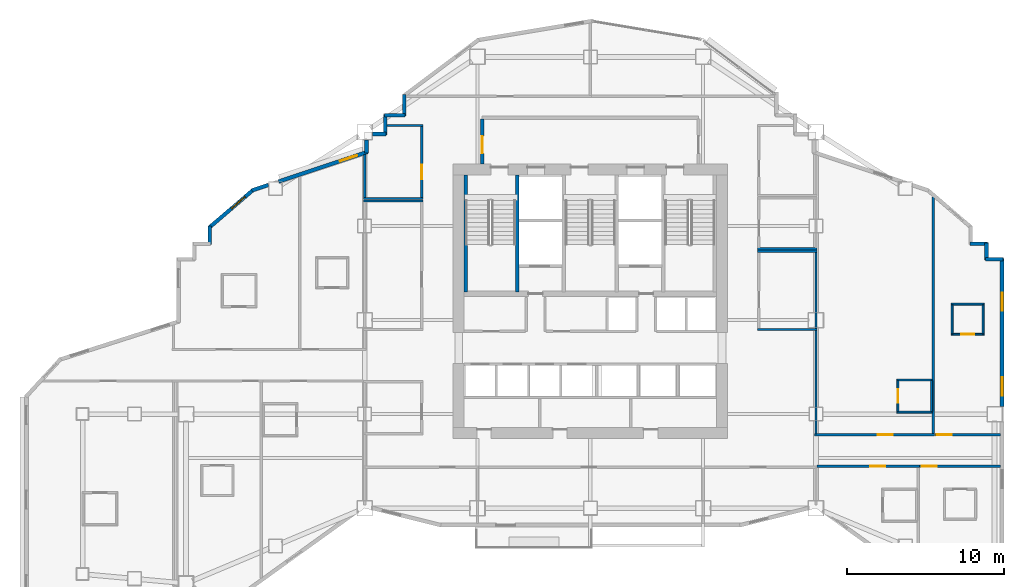
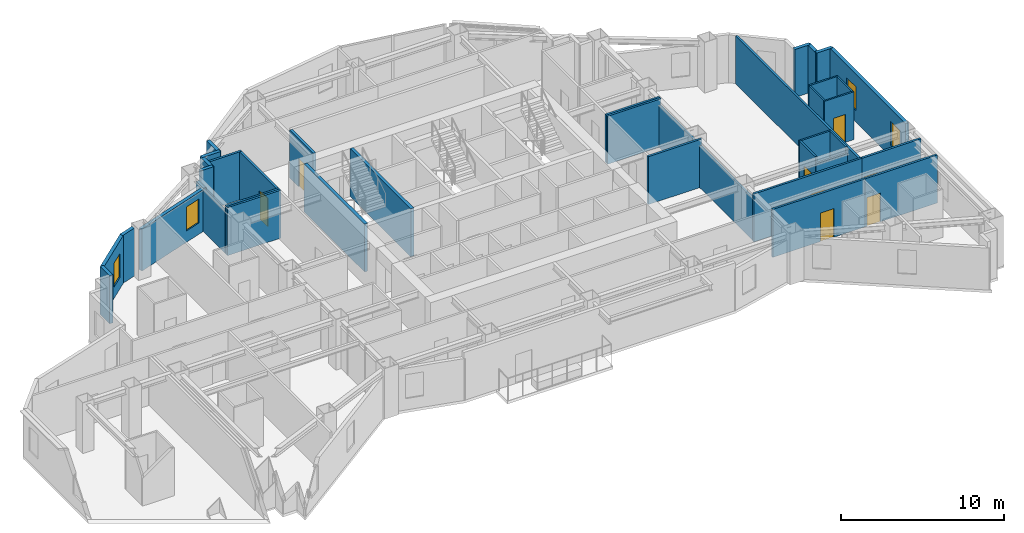
# One storey, part 8 of 14: 39 walls, 8 doors, 4 windows, 12 openings.
"""IFC4 building model written with IfcOpenShell, lengths in metres."""

from ifc_helpers import new_model, si_unit, direction, frame, frame_2d, origin, place, context, subcontext, project, spatial, rectangle, extrude, material, layer, layer_set, type_object, element, fill, save


model = new_model("IFC4")

# Units and contexts
model_context = context("Model", 3, precision=1e-05, world=origin(), true_north=direction((0.0, 1.0)))
body_context = subcontext(model_context, "Body", "Model", "MODEL_VIEW")
ifc_project = project(units=[si_unit("LENGTHUNIT", "METRE"), si_unit("AREAUNIT", "SQUARE_METRE"), si_unit("VOLUMEUNIT", "CUBIC_METRE"), si_unit("PLANEANGLEUNIT", "RADIAN"), si_unit("MASSUNIT", "GRAM", prefix="KILO")], contexts=[model_context])

# Site, building, storey
site_placement = place(None, origin())
site = spatial("IfcSite", under=ifc_project, at=site_placement, CompositionType="ELEMENT")
building_placement = place(site_placement, origin())
building = spatial("IfcBuilding", under=site, at=building_placement, Name="Haolan Belvedere Tower", CompositionType="ELEMENT")
storey_placement = place(building_placement, frame((0.0, 0.0, 113.60009765625)))
storey = spatial("IfcBuildingStorey", under=building, at=storey_placement, Name="L28", CompositionType="ELEMENT", Elevation=113.60009765625)

# Wall, openings, windows
ifc_material_1 = material(Name="Precast concrete C40/50", Category="concrete")
ifc_layer_1 = layer(ifc_material_1, 0.239990234375, Name="Precast concrete C40/50")
ifc_layer_set_1 = layer_set([ifc_layer_1], Name="Precast concrete C40/50")
wall_type_1 = type_object("IfcWallType", Name="WL-EXT-240", PredefinedType="SOLIDWALL", material=ifc_layer_set_1)
wall_1_placement = place(storey_placement, frame((64.679931640625, 28.092041015625, 0.0), z_axis=(0.0, 0.0, 1.0), x_axis=(0.0, 1.0, 0.0)))
wall_1 = element("IfcWall", 1, at=wall_1_placement, inside=storey, type_object=wall_type_1, Name="L28 pale-metal exterior spandrel wall 14.2", PredefinedType="SOLIDWALL", context=body_context, shape_type="SweptSolid", body=[
    extrude(rectangle(XDim=9.44287109375, YDim=0.239990234375, at=frame_2d((4.721435546875, 0.0))), origin(), (0.0, 0.0, 1.0), 3.599853515625),
])
opening_1_placement = place(wall_1_placement, frame((0.699951171875, 0.0, 0.85009765625)))
opening_1 = element("IfcOpeningElement", 2, at=opening_1_placement, cuts=wall_1, Name="Opening W-02", PredefinedType="OPENING", context=body_context, shape_type="SweptSolid", body=[
    extrude(rectangle(XDim=1.14990234375, YDim=1.800048828125, at=frame_2d((0.574951171875, 0.89990234375))), frame((0.0, 0.1298828125, 0.0), z_axis=(0.0, -1.0, 0.0), x_axis=(1.0, 0.0, 0.0)), (0.0, 0.0, 1.0), 0.260009765625),
])
opening_2_placement = place(wall_1_placement, frame((6.10009765625, 0.0, 0.85009765625)))
opening_2 = element("IfcOpeningElement", 3, at=opening_2_placement, cuts=wall_1, Name="Opening W-02", PredefinedType="OPENING", context=body_context, shape_type="SweptSolid", body=[
    extrude(rectangle(XDim=1.14990234375, YDim=1.800048828125, at=frame_2d((0.574951171875, 0.89990234375))), frame((0.0, 0.1298828125, 0.0), z_axis=(0.0, -1.0, 0.0), x_axis=(1.0, 0.0, 0.0)), (0.0, 0.0, 1.0), 0.260009765625),
])
ifc_material_2 = material(Name="Anodised aluminium 6063-T6 and Low-E glass", Category="aluminium")
window_type = type_object("IfcWindowType", Name="WN-DECO-Z2", PartitioningType="SINGLE_PANEL", PredefinedType="WINDOW", material=ifc_material_2)
window_1_placement = place(opening_1_placement, origin())
window_1 = element("IfcWindow", 4, at=window_1_placement, inside=storey, type_object=window_type, Name="L28 Art Deco chevron window 1", OverallHeight=1.800048828125, OverallWidth=1.14990234375, PartitioningType="SINGLE_PANEL", PredefinedType="WINDOW", context=body_context, shape_type="SweptSolid", body=[
    extrude(rectangle(XDim=1.14990234375, YDim=1.800048828125, at=frame_2d((0.574951171875, 0.89990234375))), frame((0.0, 0.030029296875, 0.0), z_axis=(0.0, -1.0, 0.0), x_axis=(1.0, 0.0, 0.0)), (0.0, 0.0, 1.0), 0.06005859375),
])
fill(opening_1, window_1)
window_2_placement = place(opening_2_placement, origin())
window_2 = element("IfcWindow", 5, at=window_2_placement, inside=storey, type_object=window_type, Name="L28 Art Deco chevron window 2", OverallHeight=1.800048828125, OverallWidth=1.14990234375, PartitioningType="SINGLE_PANEL", PredefinedType="WINDOW", context=body_context, shape_type="SweptSolid", body=[
    extrude(rectangle(XDim=1.14990234375, YDim=1.800048828125, at=frame_2d((0.574951171875, 0.89990234375))), frame((0.0, 0.030029296875, 0.0), z_axis=(0.0, -1.0, 0.0), x_axis=(1.0, 0.0, 0.0)), (0.0, 0.0, 1.0), 0.06005859375),
])
fill(opening_2, window_2)

# Walls
wall_2_placement = place(storey_placement, frame((64.735107421875, 37.47998046875, 0.0), z_axis=(0.0, 0.0, 1.0), x_axis=(-1.0, 0.0, 0.0)))
element("IfcWall", 6, at=wall_2_placement, inside=storey, type_object=wall_type_1, Name="L28 pale-metal exterior spandrel wall 15.1", PredefinedType="SOLIDWALL", context=body_context, shape_type="SweptSolid", body=[
    extrude(rectangle(XDim=1.110107421875, YDim=0.239990234375, at=frame_2d((0.55517578125, 0.0))), origin(), (0.0, 0.0, 1.0), 3.599853515625),
])
wall_3_placement = place(storey_placement, frame((63.679931640625, 37.425048828125, 0.0), z_axis=(0.0, 0.0, 1.0), x_axis=(0.0, 1.0, 0.0)))
element("IfcWall", 7, at=wall_3_placement, inside=storey, type_object=wall_type_1, Name="L28 pale-metal exterior spandrel wall 16.1", PredefinedType="SOLIDWALL", context=body_context, shape_type="SweptSolid", body=[
    extrude(rectangle(XDim=1.10986328125, YDim=0.239990234375, at=frame_2d((0.554931640625, 0.0))), origin(), (0.0, 0.0, 1.0), 3.599853515625),
])
wall_4_placement = place(storey_placement, frame((63.735107421875, 38.47998046875, 0.0), z_axis=(0.0, 0.0, 1.0), x_axis=(-1.0, 0.0, 0.0)))
element("IfcWall", 8, at=wall_4_placement, inside=storey, type_object=wall_type_1, Name="L28 pale-metal exterior spandrel wall 17.1", PredefinedType="SOLIDWALL", context=body_context, shape_type="SweptSolid", body=[
    extrude(rectangle(XDim=1.110107421875, YDim=0.239990234375, at=frame_2d((0.55517578125, 0.0))), origin(), (0.0, 0.0, 1.0), 3.599853515625),
])
wall_5_placement = place(storey_placement, frame((26.52001953125, 47.9951171875, 0.0), z_axis=(0.0, 0.0, 1.0), x_axis=(0.0, -1.0, 0.0)))
element("IfcWall", 9, at=wall_5_placement, inside=storey, type_object=wall_type_1, Name="L28 pale-metal exterior spandrel wall 30.1", PredefinedType="SOLIDWALL", context=body_context, shape_type="SweptSolid", body=[
    extrude(rectangle(XDim=1.3701171875, YDim=0.239990234375, at=frame_2d((0.68505859375, 0.0))), origin(), (0.0, 0.0, 1.0), 3.599853515625),
])
for number, where, z_axis, x_axis, name in (
    (10, (26.574951171875, 46.679931640625, 0.0), (0.0, 0.0, 1.0), (-1.0, 0.0, 0.0), "L28 pale-metal exterior spandrel wall 31.1"),
    (11, (25.320068359375, 46.735107421875, 0.0), (0.0, 0.0, 1.0), (0.0, -1.0, 0.0), "L28 pale-metal exterior spandrel wall 32.1"),
):
    element("IfcWall", number, at=place(storey_placement, frame(where, z_axis=z_axis, x_axis=x_axis)), inside=storey, type_object=wall_type_1, Name=name, PredefinedType="SOLIDWALL", context=body_context, shape_type="SweptSolid", body=[
        extrude(rectangle(XDim=1.31005859375, YDim=0.239990234375, at=frame_2d((0.655029296875, 0.0))), origin(), (0.0, 0.0, 1.0), 3.599853515625),
    ])
wall_6_placement = place(storey_placement, frame((25.375, 45.47998046875, 0.0), z_axis=(0.0, 0.0, 1.0), x_axis=(-1.0, 0.0, 0.0)))
element("IfcWall", 12, at=wall_6_placement, inside=storey, type_object=wall_type_1, Name="L28 pale-metal exterior spandrel wall 33.1", PredefinedType="SOLIDWALL", context=body_context, shape_type="SweptSolid", body=[
    extrude(rectangle(XDim=0.883056640625, YDim=0.239990234375, at=frame_2d((0.44140625, 0.0))), origin(), (0.0, 0.0, 1.0), 3.599853515625),
])
wall_7_placement = place(storey_placement, frame((24.1201171875, 45.10791015625, 0.0), z_axis=(0.0, 0.0, 1.0), x_axis=(0.0, -1.0, 0.0)))
element("IfcWall", 13, at=wall_7_placement, inside=storey, type_object=wall_type_1, Name="L28 pale-metal exterior spandrel wall 34.1", PredefinedType="SOLIDWALL", context=body_context, shape_type="SweptSolid", body=[
    extrude(rectangle(XDim=0.849365234375, YDim=0.239990234375, at=frame_2d((0.4248046875, 0.0))), origin(), (0.0, 0.0, 1.0), 3.14501953125),
])

# Wall, opening, window
wall_8_placement = place(storey_placement, frame((24.172119140625, 44.330810546875, 0.0), z_axis=(0.0, 0.0, 1.0), x_axis=(-0.948683298051, -0.316227766017, 0.0)))
wall_8 = element("IfcWall", 14, at=wall_8_placement, inside=storey, type_object=wall_type_1, Name="L28 pale-metal exterior spandrel wall 35.1", PredefinedType="SOLIDWALL", context=body_context, shape_type="SweptSolid", body=[
    extrude(rectangle(XDim=5.973388671875, YDim=0.239990234375, at=frame_2d((2.98681640625, 0.0))), origin(), (0.0, 0.0, 1.0), 3.14501953125),
])
opening_3_placement = place(wall_8_placement, frame((0.699951171875, 0.0, 0.85009765625)))
opening_3 = element("IfcOpeningElement", 15, at=opening_3_placement, cuts=wall_8, Name="Opening W-02", PredefinedType="OPENING", context=body_context, shape_type="SweptSolid", body=[
    extrude(rectangle(XDim=1.14990234375, YDim=1.800048828125, at=frame_2d((0.574951171875, 0.89990234375))), frame((0.0, 0.1298828125, 0.0), z_axis=(0.0, -1.0, 0.0), x_axis=(1.0, 0.0, 0.0)), (0.0, 0.0, 1.0), 0.260009765625),
])
window_3_placement = place(opening_3_placement, origin())
window_3 = element("IfcWindow", 16, at=window_3_placement, inside=storey, type_object=window_type, Name="L28 Art Deco chevron window 1", OverallHeight=1.800048828125, OverallWidth=1.14990234375, PartitioningType="SINGLE_PANEL", PredefinedType="WINDOW", context=body_context, shape_type="SweptSolid", body=[
    extrude(rectangle(XDim=1.14990234375, YDim=1.800048828125, at=frame_2d((0.574951171875, 0.89990234375))), frame((0.0, 0.030029296875, 0.0), z_axis=(0.0, -1.0, 0.0), x_axis=(1.0, 0.0, 0.0)), (0.0, 0.0, 1.0), 0.06005859375),
])
fill(opening_3, window_3)

# Wall
wall_9_placement = place(storey_placement, frame((17.85791015625, 42.226318359375, 0.0), z_axis=(0.0, 0.0, 1.0), x_axis=(-0.948639166064, -0.316360131194, 0.0)))
element("IfcWall", 17, at=wall_9_placement, inside=storey, type_object=wall_type_1, Name="L28 pale-metal exterior spandrel wall 35.2", PredefinedType="SOLIDWALL", context=body_context, shape_type="SweptSolid", body=[
    extrude(rectangle(XDim=1.106689453125, YDim=0.239990234375, at=frame_2d((0.55322265625, 0.0))), origin(), (0.0, 0.0, 1.0), 3.599853515625),
])

# Wall, opening, window
wall_10_placement = place(storey_placement, frame((16.902099609375, 41.929443359375, 0.0), z_axis=(0.0, 0.0, 1.0), x_axis=(-0.759275136126, -0.650769750112, 0.0)))
wall_10 = element("IfcWall", 18, at=wall_10_placement, inside=storey, type_object=wall_type_1, Name="L28 pale-metal exterior spandrel wall 36.1", PredefinedType="SOLIDWALL", context=body_context, shape_type="SweptSolid", body=[
    extrude(rectangle(XDim=3.71923828125, YDim=0.239990234375, at=frame_2d((1.859619140625, 0.0))), origin(), (0.0, 0.0, 1.0), 3.599853515625),
])
opening_4_placement = place(wall_10_placement, frame((0.699951171875, 0.0, 0.85009765625)))
opening_4 = element("IfcOpeningElement", 19, at=opening_4_placement, cuts=wall_10, Name="Opening W-02", PredefinedType="OPENING", context=body_context, shape_type="SweptSolid", body=[
    extrude(rectangle(XDim=1.14990234375, YDim=1.800048828125, at=frame_2d((0.574951171875, 0.89990234375))), frame((0.0, 0.1298828125, 0.0), z_axis=(0.0, -1.0, 0.0), x_axis=(1.0, 0.0, 0.0)), (0.0, 0.0, 1.0), 0.260009765625),
])
window_4_placement = place(opening_4_placement, origin())
window_4 = element("IfcWindow", 20, at=window_4_placement, inside=storey, type_object=window_type, Name="L28 Art Deco chevron window 1", OverallHeight=1.800048828125, OverallWidth=1.14990234375, PartitioningType="SINGLE_PANEL", PredefinedType="WINDOW", context=body_context, shape_type="SweptSolid", body=[
    extrude(rectangle(XDim=1.14990234375, YDim=1.800048828125, at=frame_2d((0.574951171875, 0.89990234375))), frame((0.0, 0.030029296875, 0.0), z_axis=(0.0, -1.0, 0.0), x_axis=(1.0, 0.0, 0.0)), (0.0, 0.0, 1.0), 0.06005859375),
])
fill(opening_4, window_4)

# Wall
wall_11_placement = place(storey_placement, frame((14.1201171875, 39.599853515625, 0.0), z_axis=(0.0, 0.0, 1.0), x_axis=(0.0, -1.0, 0.0)))
element("IfcWall", 21, at=wall_11_placement, inside=storey, type_object=wall_type_1, Name="L28 pale-metal exterior spandrel wall 37.1", PredefinedType="SOLIDWALL", context=body_context, shape_type="SweptSolid", body=[
    extrude(rectangle(XDim=1.1748046875, YDim=0.239990234375, at=frame_2d((0.58740234375, 0.0))), origin(), (0.0, 0.0, 1.0), 3.599853515625),
])

# Wall, opening, door
ifc_material_3 = material(Name="Concrete C40/50", Category="concrete")
ifc_layer_2 = layer(ifc_material_3, 0.199951171875, Name="Concrete C40/50")
ifc_layer_set_2 = layer_set([ifc_layer_2], Name="Concrete C40/50")
wall_type_2 = type_object("IfcWallType", Name="WL-FIRE-200", PredefinedType="SOLIDWALL", material=ifc_layer_set_2)
wall_12_placement = place(storey_placement, frame((31.5, 43.550048828125, 0.0), z_axis=(0.0, 0.0, 1.0), x_axis=(0.0, 1.0, 0.0)))
wall_12 = element("IfcWall", 22, at=wall_12_placement, inside=storey, type_object=wall_type_2, Name="L28 interior partition IW-L28-FFL-W", PredefinedType="SOLIDWALL", context=body_context, shape_type="SweptSolid", body=[
    extrude(rectangle(XDim=2.885009765625, YDim=0.199951171875, at=frame_2d((1.4423828125, 0.0))), origin(), (0.0, 0.0, 1.0), 3.599853515625),
])
opening_5_placement = place(wall_12_placement, frame((1.800048828125, 0.0, 0.0), z_axis=(0.0, 0.0, 1.0), x_axis=(-1.0, 0.0, 0.0)))
opening_5 = element("IfcOpeningElement", 23, at=opening_5_placement, cuts=wall_12, Name="Opening FD-03", PredefinedType="OPENING", context=body_context, shape_type="SweptSolid", body=[
    extrude(rectangle(XDim=1.10009765625, YDim=2.14990234375, at=frame_2d((0.550048828125, 1.074951171875))), frame((0.0, 0.10986328125, 0.0), z_axis=(0.0, -1.0, 0.0), x_axis=(1.0, 0.0, 0.0)), (0.0, 0.0, 1.0), 0.219970703125),
])
ifc_material_4 = material(Name="Galvanised fire-rated steel", Category="steel")
door_type_1 = type_object("IfcDoorType", Name="DR-FD90-1100", OperationType="NOTDEFINED", PredefinedType="DOOR", material=ifc_material_4)
door_1_placement = place(opening_5_placement, origin())
door_1 = element("IfcDoor", 24, at=door_1_placement, inside=storey, type_object=door_type_1, Name="L28 door ID-L28-FFL-DW", OperationType="SINGLE_SWING_LEFT", OverallHeight=2.14990234375, OverallWidth=1.10009765625, PredefinedType="DOOR", context=body_context, shape_type="SweptSolid", body=[
    extrude(rectangle(XDim=1.10009765625, YDim=2.14990234375, at=frame_2d((0.550048828125, 1.074951171875))), frame((0.0, 0.02490234375, 0.0), z_axis=(0.0, -1.0, 0.0), x_axis=(1.0, 0.0, 0.0)), (0.0, 0.0, 1.0), 0.050048828125),
])
fill(opening_5, door_1)

# Walls
ifc_material_5 = material(Name="Double gypsum acoustic stud partition", Category="masonry")
ifc_layer_3 = layer(ifc_material_5, 0.14990234375, Name="Double gypsum acoustic stud partition")
ifc_layer_set_3 = layer_set([ifc_layer_3], Name="Double gypsum acoustic stud partition")
wall_type_3 = type_object("IfcWallType", Name="WL-PART-150", PredefinedType="PARTITIONING", material=ifc_layer_set_3)
wall_13_placement = place(storey_placement, frame((23.919921875, 41.199951171875, 0.0), z_axis=(0.0, 0.0, 1.0), x_axis=(1.0, 0.0, 0.0)))
element("IfcWall", 25, at=wall_13_placement, inside=storey, type_object=wall_type_3, Name="L28 interior partition IW-L28-SAL-N", PredefinedType="PARTITIONING", context=body_context, shape_type="SweptSolid", body=[
    extrude(rectangle(XDim=3.800048828125, YDim=0.14990234375, at=frame_2d((1.89990234375, 0.0))), origin(), (0.0, 0.0, 1.0), 3.599853515625),
])
wall_14_placement = place(storey_placement, frame((25.425048828125, 46.02001953125, 0.0), z_axis=(0.0, 0.0, 1.0), x_axis=(1.0, 0.0, 0.0)))
element("IfcWall", 26, at=wall_14_placement, inside=storey, type_object=wall_type_3, Name="L28 interior partition IW-L28-HSK-N", PredefinedType="PARTITIONING", context=body_context, shape_type="SweptSolid", body=[
    extrude(rectangle(XDim=2.294921875, YDim=0.14990234375, at=frame_2d((1.1474609375, 0.0))), origin(), (0.0, 0.0, 1.0), 3.599853515625),
])
wall_15_placement = place(storey_placement, frame((23.919921875, 41.360107421875, 0.0), z_axis=(0.0, 0.0, 1.0), x_axis=(1.0, 0.0, 0.0)))
element("IfcWall", 27, at=wall_15_placement, inside=storey, type_object=wall_type_3, Name="L28 interior partition IW-L28-HSK-S", PredefinedType="PARTITIONING", context=body_context, shape_type="SweptSolid", body=[
    extrude(rectangle(XDim=3.800048828125, YDim=0.14990234375, at=frame_2d((1.89990234375, 0.0))), origin(), (0.0, 0.0, 1.0), 3.599853515625),
])
wall_16_placement = place(storey_placement, frame((24.0, 41.419921875, 0.0), z_axis=(0.0, 0.0, 1.0), x_axis=(0.0, 1.0, 0.0)))
element("IfcWall", 28, at=wall_16_placement, inside=storey, type_object=wall_type_3, Name="L28 interior partition IW-L28-HSK-W", PredefinedType="PARTITIONING", context=body_context, shape_type="SweptSolid", body=[
    extrude(rectangle(XDim=2.742919921875, YDim=0.14990234375, at=frame_2d((1.37158203125, 0.0))), origin(), (0.0, 0.0, 1.0), 3.14501953125),
])

# Wall, opening, door
wall_17_placement = place(storey_placement, frame((27.639892578125, 41.419921875, 0.0), z_axis=(0.0, 0.0, 1.0), x_axis=(0.0, 1.0, 0.0)))
wall_17 = element("IfcWall", 29, at=wall_17_placement, inside=storey, type_object=wall_type_3, Name="L28 interior partition IW-L28-HSK-E", PredefinedType="PARTITIONING", context=body_context, shape_type="SweptSolid", body=[
    extrude(rectangle(XDim=4.5400390625, YDim=0.14990234375, at=frame_2d((2.27001953125, 0.0))), origin(), (0.0, 0.0, 1.0), 3.599853515625),
])
opening_6_placement = place(wall_17_placement, frame((2.10986328125, 0.0, 0.0), z_axis=(0.0, 0.0, 1.0), x_axis=(-1.0, 0.0, 0.0)))
opening_6 = element("IfcOpeningElement", 30, at=opening_6_placement, cuts=wall_17, Name="Opening ID-03", PredefinedType="OPENING", context=body_context, shape_type="SweptSolid", body=[
    extrude(rectangle(XDim=0.949951171875, YDim=2.1201171875, at=frame_2d((0.47509765625, 1.06005859375))), frame((0.0, 0.0849609375, 0.0), z_axis=(0.0, -1.0, 0.0), x_axis=(1.0, 0.0, 0.0)), (0.0, 0.0, 1.0), 0.169921875),
])
ifc_material_6 = material(Name="Painted solid-core timber", Category="wood")
door_type_2 = type_object("IfcDoorType", Name="DR-INT-950", OperationType="NOTDEFINED", PredefinedType="DOOR", material=ifc_material_6)
door_2_placement = place(opening_6_placement, origin())
door_2 = element("IfcDoor", 31, at=door_2_placement, inside=storey, type_object=door_type_2, Name="L28 door ID-L28-HSK", OperationType="SINGLE_SWING_RIGHT", OverallHeight=2.1201171875, OverallWidth=0.949951171875, PredefinedType="DOOR", context=body_context, shape_type="SweptSolid", body=[
    extrude(rectangle(XDim=0.949951171875, YDim=2.1201171875, at=frame_2d((0.47509765625, 1.06005859375))), frame((0.0, 0.02490234375, 0.0), z_axis=(0.0, -1.0, 0.0), x_axis=(1.0, 0.0, 0.0)), (0.0, 0.0, 1.0), 0.050048828125),
])
fill(opening_6, door_2)

# Walls
for number, where, z_axis, x_axis, name in (
    (32, (49.080078125, 38.0, 0.0), (0.0, 0.0, 1.0), (1.0, 0.0, 0.0), "L28 interior partition IW-L28-BPN-N"),
    (33, (49.080078125, 33.0, 0.0), (0.0, 0.0, 1.0), (1.0, 0.0, 0.0), "L28 interior partition IW-L28-BPN-S"),
):
    element("IfcWall", number, at=place(storey_placement, frame(where, z_axis=z_axis, x_axis=x_axis)), inside=storey, type_object=wall_type_3, Name=name, PredefinedType="PARTITIONING", context=body_context, shape_type="SweptSolid", body=[
        extrude(rectangle(XDim=3.7998046875, YDim=0.14990234375, at=frame_2d((1.89990234375, 0.0))), origin(), (0.0, 0.0, 1.0), 3.599853515625),
    ])
wall_18_placement = place(storey_placement, frame((52.800048828125, 33.06005859375, 0.0), z_axis=(0.0, 0.0, 1.0), x_axis=(0.0, 1.0, 0.0)))
element("IfcWall", 34, at=wall_18_placement, inside=storey, type_object=wall_type_3, Name="L28 interior partition IW-L28-BPN-E", PredefinedType="PARTITIONING", context=body_context, shape_type="SweptSolid", body=[
    extrude(rectangle(XDim=4.8798828125, YDim=0.14990234375, at=frame_2d((2.43994140625, 0.0))), origin(), (0.0, 0.0, 1.0), 3.14501953125),
])
wall_19_placement = place(storey_placement, frame((49.080078125, 38.159912109375, 0.0), z_axis=(0.0, 0.0, 1.0), x_axis=(1.0, 0.0, 0.0)))
element("IfcWall", 35, at=wall_19_placement, inside=storey, type_object=wall_type_3, Name="L28 interior partition IW-L28-AWC-S", PredefinedType="PARTITIONING", context=body_context, shape_type="SweptSolid", body=[
    extrude(rectangle(XDim=3.7998046875, YDim=0.14990234375, at=frame_2d((1.89990234375, 0.0))), origin(), (0.0, 0.0, 1.0), 3.599853515625),
])

# Wall, opening, door
wall_20_placement = place(storey_placement, frame((52.699951171875, 26.280029296875, 0.0), z_axis=(0.0, 0.0, 1.0), x_axis=(1.0, 0.0, 0.0)))
wall_20 = element("IfcWall", 36, at=wall_20_placement, inside=storey, type_object=wall_type_3, Name="L28 interior partition IW-L28-T4N1-S", PredefinedType="PARTITIONING", context=body_context, shape_type="SweptSolid", body=[
    extrude(rectangle(XDim=7.679931640625, YDim=0.14990234375, at=frame_2d((3.83984375, 0.0))), origin(), (0.0, 0.0, 1.0), 3.599853515625),
])
opening_7_placement = place(wall_20_placement, frame((4.047607421875, 0.0, 0.0)))
opening_7 = element("IfcOpeningElement", 37, at=opening_7_placement, cuts=wall_20, Name="Opening ID-01", PredefinedType="OPENING", context=body_context, shape_type="SweptSolid", body=[
    extrude(rectangle(XDim=0.949951171875, YDim=2.179931640625, at=frame_2d((0.47509765625, 1.08984375))), frame((0.0, 0.0849609375, 0.0), z_axis=(0.0, -1.0, 0.0), x_axis=(1.0, 0.0, 0.0)), (0.0, 0.0, 1.0), 0.169921875),
])
ifc_material_7 = material(Name="Acoustic walnut veneer fire-rated timber", Category="wood")
door_type_3 = type_object("IfcDoorType", Name="DR-SUITE-950", OperationType="NOTDEFINED", PredefinedType="DOOR", material=ifc_material_7)
door_3_placement = place(opening_7_placement, origin())
door_3 = element("IfcDoor", 38, at=door_3_placement, inside=storey, type_object=door_type_3, Name="L28 door ID-L28-T4N1-ENT", OperationType="SINGLE_SWING_LEFT", OverallHeight=2.179931640625, OverallWidth=0.949951171875, PredefinedType="DOOR", context=body_context, shape_type="SweptSolid", body=[
    extrude(rectangle(XDim=0.949951171875, YDim=2.179931640625, at=frame_2d((0.47509765625, 1.08984375))), frame((0.0, 0.02490234375, 0.0), z_axis=(0.0, -1.0, 0.0), x_axis=(1.0, 0.0, 0.0)), (0.0, 0.0, 1.0), 0.050048828125),
])
fill(opening_7, door_3)

# Walls
wall_21_placement = place(storey_placement, frame((52.800048828125, 26.340087890625, 0.0), z_axis=(0.0, 0.0, 1.0), x_axis=(0.0, 1.0, 0.0)))
element("IfcWall", 39, at=wall_21_placement, inside=storey, type_object=wall_type_3, Name="L28 interior partition IW-L28-T4N1-W", PredefinedType="PARTITIONING", context=body_context, shape_type="SweptSolid", body=[
    extrude(rectangle(XDim=6.599853515625, YDim=0.14990234375, at=frame_2d((3.2998046875, 0.0))), origin(), (0.0, 0.0, 1.0), 3.14501953125),
])
wall_22_placement = place(storey_placement, frame((60.280029296875, 26.340087890625, 0.0), z_axis=(0.0, 0.0, 1.0), x_axis=(0.0, 1.0, 0.0)))
element("IfcWall", 40, at=wall_22_placement, inside=storey, type_object=wall_type_3, Name="L28 interior partition IW-L28-T4N1-E", PredefinedType="PARTITIONING", context=body_context, shape_type="SweptSolid", body=[
    extrude(rectangle(XDim=15.12353515625, YDim=0.14990234375, at=frame_2d((7.561767578125, 0.0))), origin(), (0.0, 0.0, 1.0), 3.599853515625),
])

# Wall, opening, door
wall_23_placement = place(storey_placement, frame((60.382080078125, 26.280029296875, 0.0), z_axis=(0.0, 0.0, 1.0), x_axis=(1.0, 0.0, 0.0)))
wall_23 = element("IfcWall", 41, at=wall_23_placement, inside=storey, type_object=wall_type_3, Name="L28 interior partition IW-L28-T4N2-S", PredefinedType="PARTITIONING", context=body_context, shape_type="SweptSolid", body=[
    extrude(rectangle(XDim=4.19287109375, YDim=0.14990234375, at=frame_2d((2.096435546875, 0.0))), origin(), (0.0, 0.0, 1.0), 3.599853515625),
])
opening_8_placement = place(wall_23_placement, frame((0.139892578125, 0.0, 0.0)))
opening_8 = element("IfcOpeningElement", 42, at=opening_8_placement, cuts=wall_23, Name="Opening ID-02", PredefinedType="OPENING", context=body_context, shape_type="SweptSolid", body=[
    extrude(rectangle(XDim=0.949951171875, YDim=2.14990234375, at=frame_2d((0.47509765625, 1.074951171875))), frame((0.0, 0.0849609375, 0.0), z_axis=(0.0, -1.0, 0.0), x_axis=(1.0, 0.0, 0.0)), (0.0, 0.0, 1.0), 0.169921875),
])
ifc_material_8 = material(Name="Acoustic oak veneer fire-rated timber", Category="wood")
door_type_4 = type_object("IfcDoorType", Name="DR-GUEST-950", OperationType="NOTDEFINED", PredefinedType="DOOR", material=ifc_material_8)
door_4_placement = place(opening_8_placement, origin())
door_4 = element("IfcDoor", 43, at=door_4_placement, inside=storey, type_object=door_type_4, Name="L28 door ID-L28-T4N2-ENT", OperationType="SINGLE_SWING_RIGHT", OverallHeight=2.14990234375, OverallWidth=0.949951171875, PredefinedType="DOOR", context=body_context, shape_type="SweptSolid", body=[
    extrude(rectangle(XDim=0.949951171875, YDim=2.14990234375, at=frame_2d((0.47509765625, 1.074951171875))), frame((0.0, 0.02490234375, 0.0), z_axis=(0.0, -1.0, 0.0), x_axis=(1.0, 0.0, 0.0)), (0.0, 0.0, 1.0), 0.050048828125),
])
fill(opening_8, door_4)

wall_24_placement = place(storey_placement, frame((52.882080078125, 24.27001953125, 0.0), z_axis=(0.0, 0.0, 1.0), x_axis=(1.0, 0.0, 0.0)))
wall_24 = element("IfcWall", 44, at=wall_24_placement, inside=storey, type_object=wall_type_3, Name="L28 interior partition IW-L28-T4S1-N", PredefinedType="PARTITIONING", context=body_context, shape_type="SweptSolid", body=[
    extrude(rectangle(XDim=6.537841796875, YDim=0.14990234375, at=frame_2d((3.26904296875, 0.0))), origin(), (0.0, 0.0, 1.0), 3.599853515625),
])
opening_9_placement = place(wall_24_placement, frame((4.3291015625, 0.0, 0.0), z_axis=(0.0, 0.0, 1.0), x_axis=(-1.0, 0.0, 0.0)))
opening_9 = element("IfcOpeningElement", 45, at=opening_9_placement, cuts=wall_24, Name="Opening ID-02", PredefinedType="OPENING", context=body_context, shape_type="SweptSolid", body=[
    extrude(rectangle(XDim=0.949951171875, YDim=2.14990234375, at=frame_2d((0.47509765625, 1.074951171875))), frame((0.0, 0.0849609375, 0.0), z_axis=(0.0, -1.0, 0.0), x_axis=(1.0, 0.0, 0.0)), (0.0, 0.0, 1.0), 0.169921875),
])
door_5_placement = place(opening_9_placement, origin())
door_5 = element("IfcDoor", 46, at=door_5_placement, inside=storey, type_object=door_type_4, Name="L28 door ID-L28-T4S1-ENT", OperationType="SINGLE_SWING_LEFT", OverallHeight=2.14990234375, OverallWidth=0.949951171875, PredefinedType="DOOR", context=body_context, shape_type="SweptSolid", body=[
    extrude(rectangle(XDim=0.949951171875, YDim=2.14990234375, at=frame_2d((0.47509765625, 1.074951171875))), frame((0.0, 0.02490234375, 0.0), z_axis=(0.0, -1.0, 0.0), x_axis=(1.0, 0.0, 0.0)), (0.0, 0.0, 1.0), 0.050048828125),
])
fill(opening_9, door_5)

wall_25_placement = place(storey_placement, frame((59.422119140625, 24.27001953125, 0.0), z_axis=(0.0, 0.0, 1.0), x_axis=(1.0, 0.0, 0.0)))
wall_25 = element("IfcWall", 47, at=wall_25_placement, inside=storey, type_object=wall_type_3, Name="L28 interior partition IW-L28-T4S2-N", PredefinedType="PARTITIONING", context=body_context, shape_type="SweptSolid", body=[
    extrude(rectangle(XDim=5.15283203125, YDim=0.14990234375, at=frame_2d((2.576416015625, 0.0))), origin(), (0.0, 0.0, 1.0), 3.599853515625),
])
opening_10_placement = place(wall_25_placement, frame((1.08984375, 0.0, 0.0), z_axis=(0.0, 0.0, 1.0), x_axis=(-1.0, 0.0, 0.0)))
opening_10 = element("IfcOpeningElement", 48, at=opening_10_placement, cuts=wall_25, Name="Opening ID-02", PredefinedType="OPENING", context=body_context, shape_type="SweptSolid", body=[
    extrude(rectangle(XDim=0.949951171875, YDim=2.14990234375, at=frame_2d((0.47509765625, 1.074951171875))), frame((0.0, 0.0849609375, 0.0), z_axis=(0.0, -1.0, 0.0), x_axis=(1.0, 0.0, 0.0)), (0.0, 0.0, 1.0), 0.169921875),
])
door_6_placement = place(opening_10_placement, origin())
door_6 = element("IfcDoor", 49, at=door_6_placement, inside=storey, type_object=door_type_4, Name="L28 door ID-L28-T4S2-ENT", OperationType="SINGLE_SWING_RIGHT", OverallHeight=2.14990234375, OverallWidth=0.949951171875, PredefinedType="DOOR", context=body_context, shape_type="SweptSolid", body=[
    extrude(rectangle(XDim=0.949951171875, YDim=2.14990234375, at=frame_2d((0.47509765625, 1.074951171875))), frame((0.0, 0.02490234375, 0.0), z_axis=(0.0, -1.0, 0.0), x_axis=(1.0, 0.0, 0.0)), (0.0, 0.0, 1.0), 0.050048828125),
])
fill(opening_10, door_6)

# Walls
ifc_material_9 = material(Name="Concrete C50/60", Category="concrete")
ifc_layer_4 = layer(ifc_material_9, 0.219970703125, Name="Concrete C50/60")
ifc_layer_set_4 = layer_set([ifc_layer_4], Name="Concrete C50/60")
wall_type_4 = type_object("IfcWallType", Name="WL-STAIR-220", PredefinedType="SHEAR", material=ifc_layer_set_4)
for number, where, z_axis, x_axis, name in (
    (50, (30.4619140625, 35.389892578125, 0.0), (0.0, 0.0, 1.0), (0.0, 1.0, 0.0), "L28 structural stair core wall ST1W"),
    (51, (33.739990234375, 35.389892578125, 0.0), (0.0, 0.0, 1.0), (0.0, 1.0, 0.0), "L28 structural stair core wall ST1E"),
):
    element("IfcWall", number, at=place(storey_placement, frame(where, z_axis=z_axis, x_axis=x_axis)), inside=storey, type_object=wall_type_4, Name=name, PredefinedType="SHEAR", context=body_context, shape_type="SweptSolid", body=[
        extrude(rectangle(XDim=7.460205078125, YDim=0.219970703125, at=frame_2d((3.72998046875, 0.0))), origin(), (0.0, 0.0, 1.0), 3.599853515625),
    ])
ifc_material_10 = material(Name="Moisture-resistant gypsum tile partition", Category="masonry")
ifc_layer_5 = layer(ifc_material_10, 0.1201171875, Name="Moisture-resistant gypsum tile partition")
ifc_layer_set_5 = layer_set([ifc_layer_5], Name="Moisture-resistant gypsum tile partition")
wall_type_5 = type_object("IfcWallType", Name="WL-WET-120", PredefinedType="PARTITIONING", material=ifc_layer_set_5)
wall_26_placement = place(storey_placement, frame((57.969970703125, 29.780029296875, 0.0), z_axis=(0.0, 0.0, 1.0), x_axis=(1.0, 0.0, 0.0)))
element("IfcWall", 52, at=wall_26_placement, inside=storey, type_object=wall_type_5, Name="L28 interior partition IW-L28-T4N1-BN", PredefinedType="PARTITIONING", context=body_context, shape_type="SweptSolid", body=[
    extrude(rectangle(XDim=2.25, YDim=0.1201171875, at=frame_2d((1.125, 0.0))), origin(), (0.0, 0.0, 1.0), 3.599853515625),
])
wall_27_placement = place(storey_placement, frame((57.969970703125, 27.72998046875, 0.0), z_axis=(0.0, 0.0, 1.0), x_axis=(1.0, 0.0, 0.0)))
element("IfcWall", 53, at=wall_27_placement, inside=storey, type_object=wall_type_5, Name="L28 interior partition IW-L28-T4N1-BS", PredefinedType="PARTITIONING", context=body_context, shape_type="SweptSolid", body=[
    extrude(rectangle(XDim=2.25, YDim=0.1201171875, at=frame_2d((1.125, 0.0))), origin(), (0.0, 0.0, 1.0), 3.14501953125),
])

# Wall, opening, door
wall_28_placement = place(storey_placement, frame((58.030029296875, 27.77490234375, 0.0), z_axis=(0.0, 0.0, 1.0), x_axis=(0.0, 1.0, 0.0)))
wall_28 = element("IfcWall", 54, at=wall_28_placement, inside=storey, type_object=wall_type_5, Name="L28 interior partition IW-L28-T4N1-BW", PredefinedType="PARTITIONING", context=body_context, shape_type="SweptSolid", body=[
    extrude(rectangle(XDim=1.960205078125, YDim=0.1201171875, at=frame_2d((0.97998046875, 0.0))), origin(), (0.0, 0.0, 1.0), 3.599853515625),
])
opening_11_placement = place(wall_28_placement, frame((1.405029296875, 0.0, 0.0), z_axis=(0.0, 0.0, 1.0), x_axis=(-1.0, 0.0, 0.0)))
opening_11 = element("IfcOpeningElement", 55, at=opening_11_placement, cuts=wall_28, Name="Opening ID-05", PredefinedType="OPENING", context=body_context, shape_type="SweptSolid", body=[
    extrude(rectangle(XDim=0.85009765625, YDim=2.10009765625, at=frame_2d((0.425048828125, 1.050048828125))), frame((0.0, 0.070068359375, 0.0), z_axis=(0.0, -1.0, 0.0), x_axis=(1.0, 0.0, 0.0)), (0.0, 0.0, 1.0), 0.14013671875),
])
ifc_material_11 = material(Name="Moisture-resistant lacquered timber", Category="wood")
door_type_5 = type_object("IfcDoorType", Name="DR-BATH-850", OperationType="NOTDEFINED", PredefinedType="DOOR", material=ifc_material_11)
door_7_placement = place(opening_11_placement, origin())
door_7 = element("IfcDoor", 56, at=door_7_placement, inside=storey, type_object=door_type_5, Name="L28 door ID-L28-T4N1-BATH", OperationType="SINGLE_SWING_RIGHT", OverallHeight=2.10009765625, OverallWidth=0.85009765625, PredefinedType="DOOR", context=body_context, shape_type="SweptSolid", body=[
    extrude(rectangle(XDim=0.85009765625, YDim=2.10009765625, at=frame_2d((0.425048828125, 1.050048828125))), frame((0.0, 0.02490234375, 0.0), z_axis=(0.0, -1.0, 0.0), x_axis=(1.0, 0.0, 0.0)), (0.0, 0.0, 1.0), 0.050048828125),
])
fill(opening_11, door_7)

# Walls
wall_29_placement = place(storey_placement, frame((60.179931640625, 27.77490234375, 0.0), z_axis=(0.0, 0.0, 1.0), x_axis=(0.0, 1.0, 0.0)))
element("IfcWall", 57, at=wall_29_placement, inside=storey, type_object=wall_type_5, Name="L28 interior partition IW-L28-T4N1-BE", PredefinedType="PARTITIONING", context=body_context, shape_type="SweptSolid", body=[
    extrude(rectangle(XDim=1.960205078125, YDim=0.1201171875, at=frame_2d((0.97998046875, 0.0))), origin(), (0.0, 0.0, 1.0), 3.599853515625),
])
wall_30_placement = place(storey_placement, frame((61.431884765625, 34.6201171875, 0.0), z_axis=(0.0, 0.0, 1.0), x_axis=(1.0, 0.0, 0.0)))
element("IfcWall", 58, at=wall_30_placement, inside=storey, type_object=wall_type_5, Name="L28 interior partition IW-L28-T4N2-BN", PredefinedType="PARTITIONING", context=body_context, shape_type="SweptSolid", body=[
    extrude(rectangle(XDim=2.10009765625, YDim=0.1201171875, at=frame_2d((1.050048828125, 0.0))), origin(), (0.0, 0.0, 1.0), 3.599853515625),
])

# Wall, opening, door
wall_31_placement = place(storey_placement, frame((61.431884765625, 32.699951171875, 0.0), z_axis=(0.0, 0.0, 1.0), x_axis=(1.0, 0.0, 0.0)))
wall_31 = element("IfcWall", 59, at=wall_31_placement, inside=storey, type_object=wall_type_5, Name="L28 interior partition IW-L28-T4N2-BS", PredefinedType="PARTITIONING", context=body_context, shape_type="SweptSolid", body=[
    extrude(rectangle(XDim=2.10009765625, YDim=0.1201171875, at=frame_2d((1.050048828125, 0.0))), origin(), (0.0, 0.0, 1.0), 3.599853515625),
])
opening_12_placement = place(wall_31_placement, frame((0.625, 0.0, 0.0)))
opening_12 = element("IfcOpeningElement", 60, at=opening_12_placement, cuts=wall_31, Name="Opening ID-05", PredefinedType="OPENING", context=body_context, shape_type="SweptSolid", body=[
    extrude(rectangle(XDim=0.85009765625, YDim=2.10009765625, at=frame_2d((0.425048828125, 1.050048828125))), frame((0.0, 0.070068359375, 0.0), z_axis=(0.0, -1.0, 0.0), x_axis=(1.0, 0.0, 0.0)), (0.0, 0.0, 1.0), 0.14013671875),
])
door_8_placement = place(opening_12_placement, origin())
door_8 = element("IfcDoor", 61, at=door_8_placement, inside=storey, type_object=door_type_5, Name="L28 door ID-L28-T4N2-BATH", OperationType="SINGLE_SWING_LEFT", OverallHeight=2.10009765625, OverallWidth=0.85009765625, PredefinedType="DOOR", context=body_context, shape_type="SweptSolid", body=[
    extrude(rectangle(XDim=0.85009765625, YDim=2.10009765625, at=frame_2d((0.425048828125, 1.050048828125))), frame((0.0, 0.02490234375, 0.0), z_axis=(0.0, -1.0, 0.0), x_axis=(1.0, 0.0, 0.0)), (0.0, 0.0, 1.0), 0.050048828125),
])
fill(opening_12, door_8)

# Walls
for number, where, z_axis, x_axis, name in (
    (62, (61.491943359375, 32.7451171875, 0.0), (0.0, 0.0, 1.0), (0.0, 1.0, 0.0), "L28 interior partition IW-L28-T4N2-BW"),
    (63, (63.471923828125, 32.7451171875, 0.0), (0.0, 0.0, 1.0), (0.0, 1.0, 0.0), "L28 interior partition IW-L28-T4N2-BE"),
):
    element("IfcWall", number, at=place(storey_placement, frame(where, z_axis=z_axis, x_axis=x_axis)), inside=storey, type_object=wall_type_5, Name=name, PredefinedType="PARTITIONING", context=body_context, shape_type="SweptSolid", body=[
        extrude(rectangle(XDim=1.829833984375, YDim=0.1201171875, at=frame_2d((0.9150390625, 0.0))), origin(), (0.0, 0.0, 1.0), 3.599853515625),
    ])

save(model, "model.ifc")
